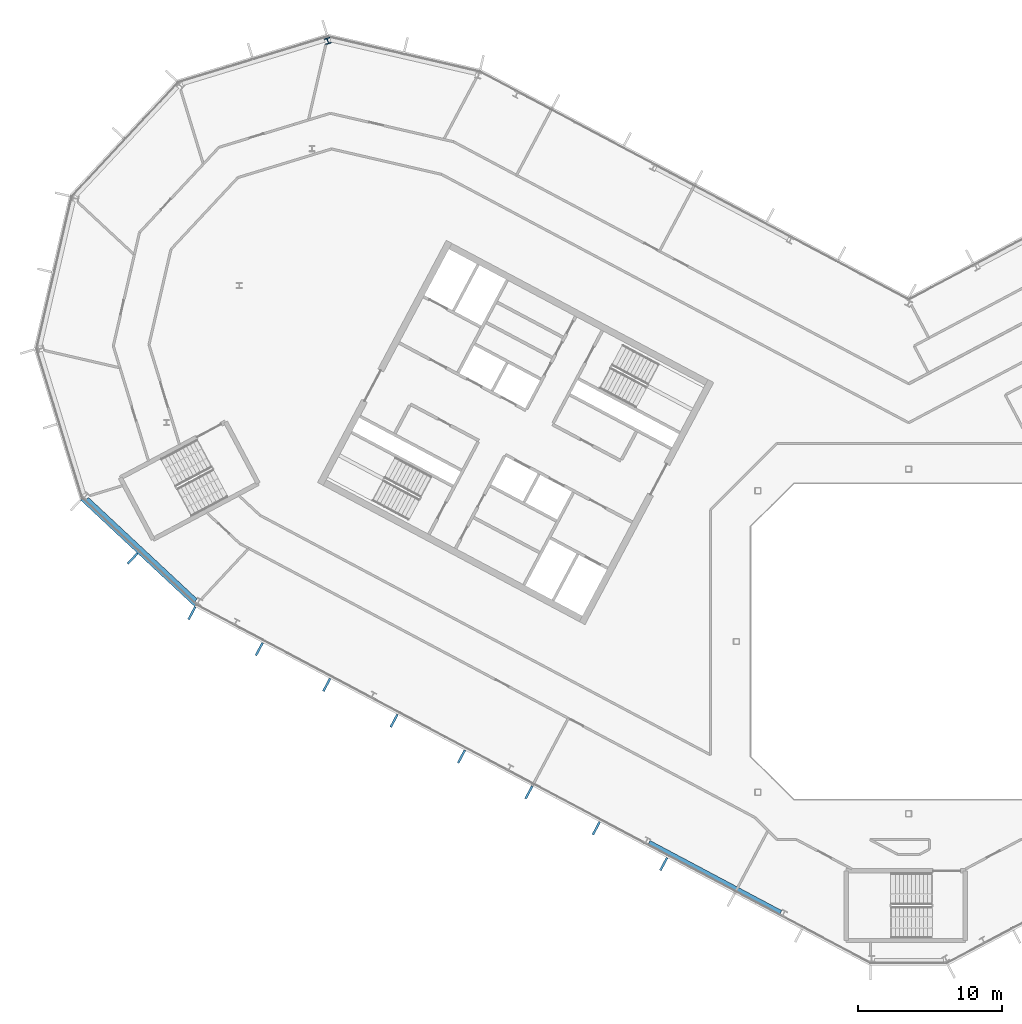
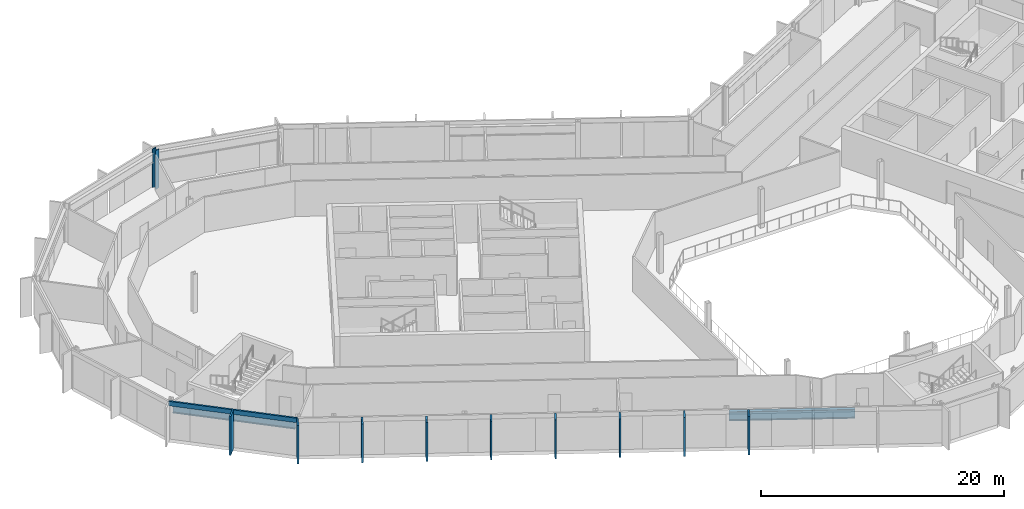
# One storey, part 8 of 26: 10 members, 2 beams, 1 column, 2 elements without a shape of their own.
"""IFC4 building model written with IfcOpenShell, lengths in metres."""

from ifc_helpers import new_model, si_unit, direction, frame, origin, origin_2d, place, context, subcontext, project, spatial, rectangle, i_section, extrude, material, layer, layer_set, material_profile, profile_set, type_object, element, aggregate, save


model = new_model("IFC4")

# Units and contexts
model_context = context("Model", 3, precision=1e-05, world=origin(), true_north=direction((0.0, 1.0)))
body_context = subcontext(model_context, "Body", "Model", "MODEL_VIEW")
ifc_project = project(units=[si_unit("LENGTHUNIT", "METRE"), si_unit("AREAUNIT", "SQUARE_METRE"), si_unit("VOLUMEUNIT", "CUBIC_METRE"), si_unit("PLANEANGLEUNIT", "RADIAN"), si_unit("MASSUNIT", "GRAM", prefix="KILO")], contexts=[model_context])

# Site, building, storey
site_placement = place(None, origin())
site = spatial("IfcSite", under=ifc_project, at=site_placement, CompositionType="ELEMENT")
building_placement = place(site_placement, origin())
building = spatial("IfcBuilding", under=site, at=building_placement, Name="Cormorant Relay Tower", CompositionType="ELEMENT")
storey_placement = place(building_placement, frame((0.0, 0.0, 312.60009765625)))
storey = spatial("IfcBuildingStorey", under=building, at=storey_placement, Name="L71", CompositionType="ELEMENT", Elevation=312.60009765625)

# Column
ifc_material_1 = material(Name="Steel ASTM A992 (Fy 345 MPa)", Category="steel")
ifc_material_profile_1 = material_profile(ifc_material_1, i_section(OverallWidth=0.40380859375, OverallDepth=0.406494140625, WebThickness=0.027099609375, FlangeThickness=0.043701171875, FilletRadius=0.01513671875, at=origin_2d()), Name="W360x347")
ifc_profile_set_1 = profile_set([ifc_material_profile_1], Name="Steel ASTM A992 (Fy 345 MPa)")
column_type = type_object("IfcColumnType", Name="Column W360x347", PredefinedType="COLUMN", material=ifc_profile_set_1)
column_placement = place(storey_placement, frame((-40.455078125, 41.823974609375, 0.0), z_axis=(0.0, 0.0, 1.0), x_axis=(-0.956304755963, -0.292371704723, 0.0)))
element("IfcColumn", 1, at=column_placement, inside=storey, type_object=column_type, Name="Column L71-043", PredefinedType="COLUMN", context=body_context, shape_type="SweptSolid", body=[
    extrude(i_section(OverallWidth=0.40380859375, OverallDepth=0.406494140625, WebThickness=0.027099609375, FlangeThickness=0.043701171875, FilletRadius=0.01513671875, at=origin_2d()), origin(), (0.0, 0.0, 1.0), 3.89990234375),
])

# Curtain wall, member
ifc_material_2 = material(Name="Aluminium 6063-T6 anodised bronze", Category="aluminium")
ifc_layer = layer(ifc_material_2, 0.199951171875)
ifc_layer_set = layer_set([ifc_layer], Name="CW1 unitised bronze curtain wall with vertical fins")
curtain_wall_type = type_object("IfcCurtainWallType", Name="CW1 unitised bronze curtain wall with vertical fins", PredefinedType="NOTDEFINED", material=ifc_layer_set)
curtain_wall_1_placement = place(storey_placement, origin())
curtain_wall_1 = element("IfcCurtainWall", 2, at=curtain_wall_1_placement, inside=storey, type_object=curtain_wall_type, Name="CW1 curtain wall 15", PredefinedType="NOTDEFINED")
ifc_material_3 = material(Name="Aluminium 6063-T6 anodised bronze", Category="aluminium")
ifc_material_profile_2 = material_profile(ifc_material_3, rectangle(XDim=0.14990234375, YDim=1.0, at=origin_2d()), Name="AL 150x1000")
ifc_profile_set_2 = profile_set([ifc_material_profile_2], Name="Aluminium 6063-T6 anodised bronze")
member_type_1 = type_object("IfcMemberType", Name="CW1 bronze fin mullion 150 x 1000", PredefinedType="MULLION", material=ifc_profile_set_2)
member_1_placement = place(storey_placement, frame((-54.0439453125, 5.779296875, 0.0), z_axis=(0.0, 0.0, 1.0), x_axis=(0.731353701619, -0.681998360062, 0.0)))
member_1 = element("IfcMember", 3, at=member_1_placement, type_object=member_type_1, Name="CW1 fin 15.2", PredefinedType="MULLION", context=body_context, shape_type="SweptSolid", body=[
    extrude(rectangle(XDim=0.14990234375, YDim=1.0, at=origin_2d()), origin(), (0.0, 0.0, 1.0), 3.89990234375),
])

# Curtain wall, members
curtain_wall_2_placement = place(storey_placement, origin())
curtain_wall_2 = element("IfcCurtainWall", 4, at=curtain_wall_2_placement, inside=storey, type_object=curtain_wall_type, Name="CW1 curtain wall 16", PredefinedType="NOTDEFINED")
member_2_placement = place(storey_placement, frame((-49.920166015625, 1.96630859375, 0.0), z_axis=(0.0, 0.0, 1.0), x_axis=(0.882947592859, -0.469471562786, 0.0)))
member_2 = element("IfcMember", 5, at=member_2_placement, type_object=member_type_1, Name="CW1 fin 16.1", PredefinedType="MULLION", context=body_context, shape_type="SweptSolid", body=[
    extrude(rectangle(XDim=0.14990234375, YDim=1.0, at=origin_2d()), origin(), (0.0, 0.0, 1.0), 3.89990234375),
])
member_3_placement = place(storey_placement, frame((-45.225830078125, -0.52978515625, 0.0), z_axis=(0.0, 0.0, 1.0), x_axis=(0.882947592859, -0.469471562786, 0.0)))
member_3 = element("IfcMember", 6, at=member_3_placement, type_object=member_type_1, Name="CW1 fin 16.2", PredefinedType="MULLION", context=body_context, shape_type="SweptSolid", body=[
    extrude(rectangle(XDim=0.14990234375, YDim=1.0, at=origin_2d()), origin(), (0.0, 0.0, 1.0), 3.89990234375),
])
member_4_placement = place(storey_placement, frame((-40.531494140625, -3.025634765625, 0.0), z_axis=(0.0, 0.0, 1.0), x_axis=(0.882947592859, -0.469471562786, 0.0)))
member_4 = element("IfcMember", 7, at=member_4_placement, type_object=member_type_1, Name="CW1 fin 16.3", PredefinedType="MULLION", context=body_context, shape_type="SweptSolid", body=[
    extrude(rectangle(XDim=0.14990234375, YDim=1.0, at=origin_2d()), origin(), (0.0, 0.0, 1.0), 3.89990234375),
])
member_5_placement = place(storey_placement, frame((-35.83740234375, -5.521728515625, 0.0), z_axis=(0.0, 0.0, 1.0), x_axis=(0.882947592859, -0.469471562786, 0.0)))
member_5 = element("IfcMember", 8, at=member_5_placement, type_object=member_type_1, Name="CW1 fin 16.4", PredefinedType="MULLION", context=body_context, shape_type="SweptSolid", body=[
    extrude(rectangle(XDim=0.14990234375, YDim=1.0, at=origin_2d()), origin(), (0.0, 0.0, 1.0), 3.89990234375),
])
member_6_placement = place(storey_placement, frame((-31.14306640625, -8.017578125, 0.0), z_axis=(0.0, 0.0, 1.0), x_axis=(0.882947592859, -0.469471562786, 0.0)))
member_6 = element("IfcMember", 9, at=member_6_placement, type_object=member_type_1, Name="CW1 fin 16.5", PredefinedType="MULLION", context=body_context, shape_type="SweptSolid", body=[
    extrude(rectangle(XDim=0.14990234375, YDim=1.0, at=origin_2d()), origin(), (0.0, 0.0, 1.0), 3.89990234375),
])
member_7_placement = place(storey_placement, frame((-26.44873046875, -10.513671875, 0.0), z_axis=(0.0, 0.0, 1.0), x_axis=(0.882947592859, -0.469471562786, 0.0)))
member_7 = element("IfcMember", 10, at=member_7_placement, type_object=member_type_1, Name="CW1 fin 16.6", PredefinedType="MULLION", context=body_context, shape_type="SweptSolid", body=[
    extrude(rectangle(XDim=0.14990234375, YDim=1.0, at=origin_2d()), origin(), (0.0, 0.0, 1.0), 3.89990234375),
])
member_8_placement = place(storey_placement, frame((-21.754638671875, -13.009765625, 0.0), z_axis=(0.0, 0.0, 1.0), x_axis=(0.882947592859, -0.469471562786, 0.0)))
member_8 = element("IfcMember", 11, at=member_8_placement, type_object=member_type_1, Name="CW1 fin 16.7", PredefinedType="MULLION", context=body_context, shape_type="SweptSolid", body=[
    extrude(rectangle(XDim=0.14990234375, YDim=1.0, at=origin_2d()), origin(), (0.0, 0.0, 1.0), 3.89990234375),
])
member_9_placement = place(storey_placement, frame((-17.060302734375, -15.505615234375, 0.0), z_axis=(0.0, 0.0, 1.0), x_axis=(0.882947592859, -0.469471562786, 0.0)))
member_9 = element("IfcMember", 12, at=member_9_placement, type_object=member_type_1, Name="CW1 fin 16.8", PredefinedType="MULLION", context=body_context, shape_type="SweptSolid", body=[
    extrude(rectangle(XDim=0.14990234375, YDim=1.0, at=origin_2d()), origin(), (0.0, 0.0, 1.0), 3.89990234375),
])
aggregate(curtain_wall_2, [member_2, member_3, member_4, member_5, member_6, member_7, member_8, member_9])

# Member
ifc_material_4 = material(Name="Aluminium 6063-T6 anodised bronze", Category="aluminium")
ifc_material_profile_3 = material_profile(ifc_material_4, rectangle(XDim=0.159912109375, YDim=0.449951171875, at=origin_2d()), Name="AL 160x450")
ifc_profile_set_3 = profile_set([ifc_material_profile_3], Name="Aluminium 6063-T6 anodised bronze")
member_type_2 = type_object("IfcMemberType", Name="CW1 bronze transom 160 x 450", PredefinedType="USERDEFINED", material=ifc_profile_set_3)
member_10_placement = place(storey_placement, frame((-57.62353515625, 9.91015625, 3.6748046875), z_axis=(0.731358420696, -0.681993299437, 0.0), x_axis=(0.681993299437, 0.731358420696, 0.0)))
member_10 = element("IfcMember", 13, at=member_10_placement, type_object=member_type_2, Name="CW1 transom 15", ObjectType="TRANSOM", PredefinedType="USERDEFINED", context=body_context, shape_type="SweptSolid", body=[
    extrude(rectangle(XDim=0.159912109375, YDim=0.449951171875, at=origin_2d()), origin(), (0.0, 0.0, 1.0), 10.870361328125),
])

aggregate(curtain_wall_1, [member_1, member_10])

# Beams
ifc_material_5 = material(Name="Steel ASTM A992 (Fy 345 MPa)", Category="steel")
ifc_material_profile_4 = material_profile(ifc_material_5, i_section(OverallWidth=0.307373046875, OverallDepth=0.927001953125, WebThickness=0.019287109375, FlangeThickness=0.031982421875, FilletRadius=0.01904296875, at=origin_2d()), Name="W920x289")
ifc_profile_set_4 = profile_set([ifc_material_profile_4], Name="Steel ASTM A992 (Fy 345 MPa)")
beam_type = type_object("IfcBeamType", Name="Spandrel W920x289", PredefinedType="SPANDREL", material=ifc_profile_set_4)
beam_1_placement = place(storey_placement, frame((-57.234619140625, 9.921630859375, 3.076416015625), z_axis=(0.731364191518, -0.681987110849, 0.0), x_axis=(0.681987110849, 0.731364191518, 0.0)))
element("IfcBeam", 14, at=beam_1_placement, inside=storey, type_object=beam_type, Name="Spandrel beam L71-015", PredefinedType="SPANDREL", context=body_context, shape_type="SweptSolid", body=[
    extrude(i_section(OverallWidth=0.307373046875, OverallDepth=0.927001953125, WebThickness=0.019287109375, FlangeThickness=0.031982421875, FilletRadius=0.01904296875, at=origin_2d()), origin(), (0.0, 0.0, 1.0), 10.37841796875),
])
beam_2_placement = place(storey_placement, frame((-18.0869140625, -13.992919921875, 3.076416015625), z_axis=(0.882946088703, -0.469474391681, 0.0), x_axis=(0.469474391681, 0.882946088703, 0.0)))
element("IfcBeam", 15, at=beam_2_placement, inside=storey, type_object=beam_type, Name="Spandrel beam L71-016", PredefinedType="SPANDREL", context=body_context, shape_type="SweptSolid", body=[
    extrude(i_section(OverallWidth=0.307373046875, OverallDepth=0.927001953125, WebThickness=0.019287109375, FlangeThickness=0.031982421875, FilletRadius=0.01904296875, at=origin_2d()), origin(), (0.0, 0.0, 1.0), 10.401611328125),
])

save(model, "model.ifc")
